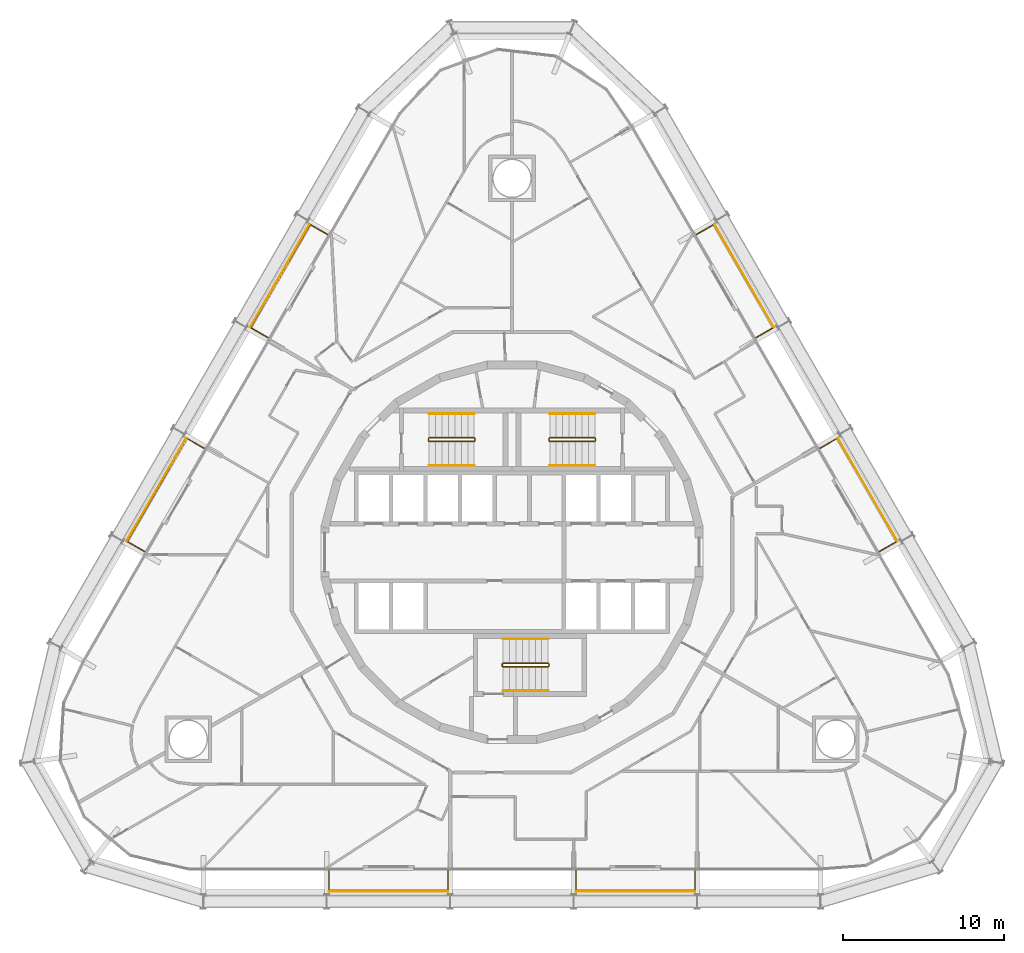
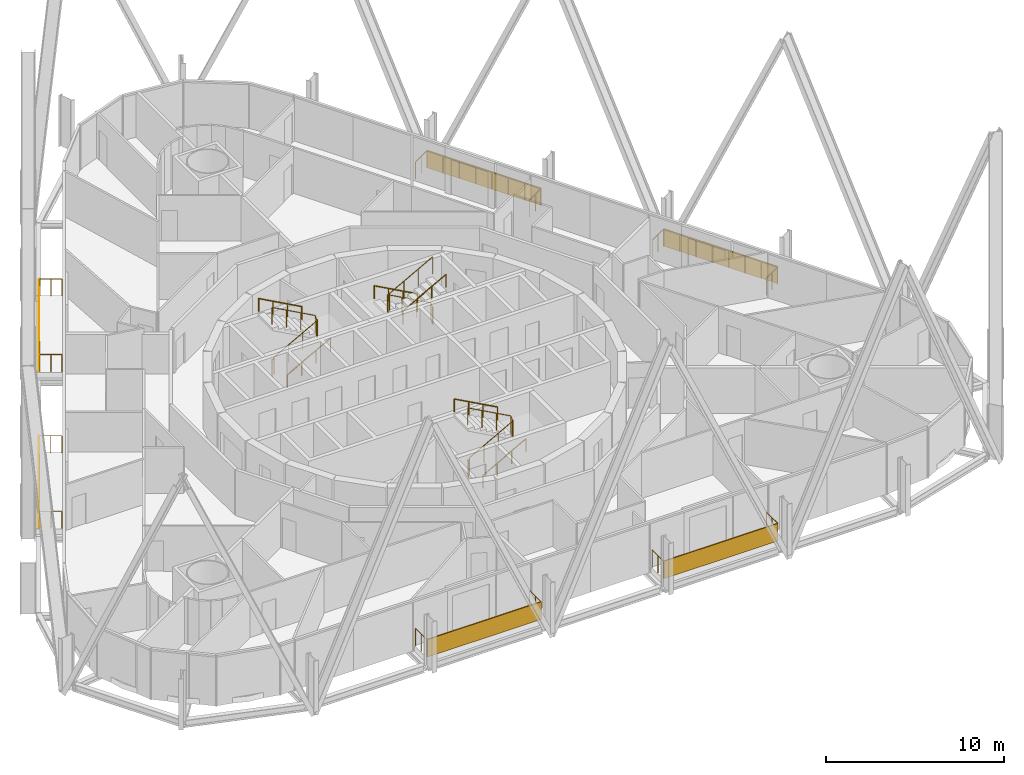
# One storey, part 22 of 22: 15 railings, 6 shading devices.
"""IFC4 building model written with IfcOpenShell, lengths in metres."""

from ifc_helpers import new_model, si_unit, direction, frame, origin, origin_2d, place, context, subcontext, project, spatial, rectangle, circle, extrude, material, layer, layer_set, type_object, element, save


model = new_model("IFC4")

# Units and contexts
model_context = context("Model", 3, precision=1e-05, world=origin(), true_north=direction((0.0, 1.0)))
body_context = subcontext(model_context, "Body", "Model", "MODEL_VIEW")
ifc_project = project(units=[si_unit("LENGTHUNIT", "METRE"), si_unit("AREAUNIT", "SQUARE_METRE"), si_unit("VOLUMEUNIT", "CUBIC_METRE"), si_unit("PLANEANGLEUNIT", "RADIAN"), si_unit("MASSUNIT", "GRAM", prefix="KILO")], contexts=[model_context])

# Site, building, storey
site_placement = place(None, origin())
site = spatial("IfcSite", under=ifc_project, at=site_placement, CompositionType="ELEMENT")
building_placement = place(site_placement, origin())
building = spatial("IfcBuilding", under=site, at=building_placement, Name="Spindle Arch Residences", CompositionType="ELEMENT")
storey_placement = place(building_placement, frame((0.0, 0.0, 52.39990234375)))
storey = spatial("IfcBuildingStorey", under=building, at=storey_placement, Name="L11", CompositionType="ELEMENT", Elevation=52.39990234375)

# Railings
ifc_material_1 = material(Name="Bronze anodised aluminium guard with glass infill", Category="aluminium")
railing_type_1 = type_object("IfcRailingType", Name="Balcony guard 1200", PredefinedType="GUARDRAIL", material=ifc_material_1)
railing_1_placement = place(storey_placement, frame((3.97509765625, -19.81982421875, 0.0)))
element("IfcRailing", 1, at=railing_1_placement, inside=storey, type_object=railing_type_1, Name="Guard L11 bay 1", PredefinedType="GUARDRAIL", context=body_context, shape_type="SweptSolid", body=[
    extrude(circle(Radius=0.02392578125, at=origin_2d()), frame((0.0, 0.0, 1.17578125), z_axis=(0.0, -1.0, 0.0), x_axis=(1.0, 0.0, 0.0)), (0.0, 0.0, 1.0), 1.25),
    extrude(circle(Radius=0.02392578125, at=origin_2d()), frame((0.0, -1.25, 1.17578125), z_axis=(1.0, 0.0, 0.0), x_axis=(0.0, 1.0, 0.0)), (0.0, 0.0, 1.0), 7.409912109375),
    extrude(circle(Radius=0.02392578125, at=origin_2d()), frame((7.409912109375, -1.25, 1.17578125), z_axis=(0.0, 1.0, 0.0), x_axis=(-1.0, 0.0, 0.0)), (0.0, 0.0, 1.0), 1.25),
    extrude(circle(Radius=0.02099609375, at=origin_2d()), origin(), (0.0, 0.0, 1.0), 1.15185546875),
    extrude(circle(Radius=0.02099609375, at=origin_2d()), frame((0.0, -0.625, 0.0)), (0.0, 0.0, 1.0), 1.15185546875),
    extrude(circle(Radius=0.02099609375, at=origin_2d()), frame((0.0, -1.25, 0.0)), (0.0, 0.0, 1.0), 1.15185546875),
    extrude(circle(Radius=0.02099609375, at=origin_2d()), frame((1.05859375, -1.25, 0.0)), (0.0, 0.0, 1.0), 1.15185546875),
    extrude(circle(Radius=0.02099609375, at=origin_2d()), frame((2.1171875, -1.25, 0.0)), (0.0, 0.0, 1.0), 1.15185546875),
    extrude(circle(Radius=0.02099609375, at=origin_2d()), frame((3.17578125, -1.25, 0.0)), (0.0, 0.0, 1.0), 1.15185546875),
    extrude(circle(Radius=0.02099609375, at=origin_2d()), frame((4.234130859375, -1.25, 0.0)), (0.0, 0.0, 1.0), 1.15185546875),
    extrude(circle(Radius=0.02099609375, at=origin_2d()), frame((5.292724609375, -1.25, 0.0)), (0.0, 0.0, 1.0), 1.15185546875),
    extrude(circle(Radius=0.02099609375, at=origin_2d()), frame((6.351318359375, -1.25, 0.0)), (0.0, 0.0, 1.0), 1.15185546875),
    extrude(circle(Radius=0.02099609375, at=origin_2d()), frame((7.409912109375, -1.25, 0.0)), (0.0, 0.0, 1.0), 1.15185546875),
    extrude(circle(Radius=0.02099609375, at=origin_2d()), frame((7.409912109375, -0.625, 0.0)), (0.0, 0.0, 1.0), 1.15185546875),
    extrude(circle(Radius=0.02099609375, at=origin_2d()), frame((7.409912109375, 0.0, 0.0)), (0.0, 0.0, 1.0), 1.15185546875),
])
railing_2_placement = place(storey_placement, frame((22.857177734375, 0.050048828125, 0.0)))
element("IfcRailing", 2, at=railing_2_placement, inside=storey, type_object=railing_type_1, Name="Guard L11 bay 7", PredefinedType="GUARDRAIL", context=body_context, shape_type="SweptSolid", body=[
    extrude(circle(Radius=0.02392578125, at=origin_2d()), frame((0.0, 0.0, 1.17578125), z_axis=(0.866022959057, 0.500004234368, 0.0), x_axis=(-0.500004234368, 0.866022959057, 0.0)), (0.0, 0.0, 1.0), 1.25),
    extrude(circle(Radius=0.02392578125, at=origin_2d()), frame((1.08251953125, 0.625, 1.17578125), z_axis=(-0.499994337101, 0.866028673236, 0.0), x_axis=(-0.866028673236, -0.499994337101, 0.0)), (0.0, 0.0, 1.0), 7.41015625),
    extrude(circle(Radius=0.02392578125, at=origin_2d()), frame((-2.62255859375, 7.04248046875, 1.17578125), z_axis=(-0.866022959057, -0.500004234368, 0.0), x_axis=(0.500004234368, -0.866022959057, 0.0)), (0.0, 0.0, 1.0), 1.25),
    extrude(circle(Radius=0.02099609375, at=origin_2d()), origin(), (0.0, 0.0, 1.0), 1.15185546875),
    extrude(circle(Radius=0.02099609375, at=origin_2d()), frame((0.541259765625, 0.3125, 0.0)), (0.0, 0.0, 1.0), 1.15185546875),
    extrude(circle(Radius=0.02099609375, at=origin_2d()), frame((1.08251953125, 0.625, 0.0)), (0.0, 0.0, 1.0), 1.15185546875),
    extrude(circle(Radius=0.02099609375, at=origin_2d()), frame((0.55322265625, 1.541748046875, 0.0)), (0.0, 0.0, 1.0), 1.15185546875),
    extrude(circle(Radius=0.02099609375, at=origin_2d()), frame((0.02392578125, 2.45849609375, 0.0)), (0.0, 0.0, 1.0), 1.15185546875),
    extrude(circle(Radius=0.02099609375, at=origin_2d()), frame((-0.50537109375, 3.375244140625, 0.0)), (0.0, 0.0, 1.0), 1.15185546875),
    extrude(circle(Radius=0.02099609375, at=origin_2d()), frame((-1.03466796875, 4.292236328125, 0.0)), (0.0, 0.0, 1.0), 1.15185546875),
    extrude(circle(Radius=0.02099609375, at=origin_2d()), frame((-1.56396484375, 5.208984375, 0.0)), (0.0, 0.0, 1.0), 1.15185546875),
    extrude(circle(Radius=0.02099609375, at=origin_2d()), frame((-2.09326171875, 6.125732421875, 0.0)), (0.0, 0.0, 1.0), 1.15185546875),
    extrude(circle(Radius=0.02099609375, at=origin_2d()), frame((-2.62255859375, 7.04248046875, 0.0)), (0.0, 0.0, 1.0), 1.15185546875),
    extrude(circle(Radius=0.02099609375, at=origin_2d()), frame((-3.163818359375, 6.72998046875, 0.0)), (0.0, 0.0, 1.0), 1.15185546875),
    extrude(circle(Radius=0.02099609375, at=origin_2d()), frame((-3.705078125, 6.41748046875, 0.0)), (0.0, 0.0, 1.0), 1.15185546875),
])
railing_3_placement = place(storey_placement, frame((15.177001953125, 13.3525390625, 0.0)))
element("IfcRailing", 3, at=railing_3_placement, inside=storey, type_object=railing_type_1, Name="Guard L11 bay 9", PredefinedType="GUARDRAIL", context=body_context, shape_type="SweptSolid", body=[
    extrude(circle(Radius=0.02392578125, at=origin_2d()), frame((0.0, 0.0, 1.17578125), z_axis=(0.866022959057, 0.500004234368, 0.0), x_axis=(-0.500004234368, 0.866022959057, 0.0)), (0.0, 0.0, 1.0), 1.25),
    extrude(circle(Radius=0.02392578125, at=origin_2d()), frame((1.08251953125, 0.625, 1.17578125), z_axis=(-0.500008603535, 0.866020436474, 0.0), x_axis=(-0.866020436474, -0.500008603535, 0.0)), (0.0, 0.0, 1.0), 7.409912109375),
    extrude(circle(Radius=0.02392578125, at=origin_2d()), frame((-2.62255859375, 7.042236328125, 1.17578125), z_axis=(-0.866022959057, -0.500004234368, 0.0), x_axis=(0.500004234368, -0.866022959057, 0.0)), (0.0, 0.0, 1.0), 1.25),
    extrude(circle(Radius=0.02099609375, at=origin_2d()), origin(), (0.0, 0.0, 1.0), 1.15185546875),
    extrude(circle(Radius=0.02099609375, at=origin_2d()), frame((0.541259765625, 0.3125, 0.0)), (0.0, 0.0, 1.0), 1.15185546875),
    extrude(circle(Radius=0.02099609375, at=origin_2d()), frame((1.08251953125, 0.625, 0.0)), (0.0, 0.0, 1.0), 1.15185546875),
    extrude(circle(Radius=0.02099609375, at=origin_2d()), frame((0.55322265625, 1.541748046875, 0.0)), (0.0, 0.0, 1.0), 1.15185546875),
    extrude(circle(Radius=0.02099609375, at=origin_2d()), frame((0.02392578125, 2.45849609375, 0.0)), (0.0, 0.0, 1.0), 1.15185546875),
    extrude(circle(Radius=0.02099609375, at=origin_2d()), frame((-0.50537109375, 3.375244140625, 0.0)), (0.0, 0.0, 1.0), 1.15185546875),
    extrude(circle(Radius=0.02099609375, at=origin_2d()), frame((-1.03466796875, 4.2919921875, 0.0)), (0.0, 0.0, 1.0), 1.15185546875),
    extrude(circle(Radius=0.02099609375, at=origin_2d()), frame((-1.56396484375, 5.208740234375, 0.0)), (0.0, 0.0, 1.0), 1.15185546875),
    extrude(circle(Radius=0.02099609375, at=origin_2d()), frame((-2.09326171875, 6.12548828125, 0.0)), (0.0, 0.0, 1.0), 1.15185546875),
    extrude(circle(Radius=0.02099609375, at=origin_2d()), frame((-2.62255859375, 7.042236328125, 0.0)), (0.0, 0.0, 1.0), 1.15185546875),
    extrude(circle(Radius=0.02099609375, at=origin_2d()), frame((-3.163818359375, 6.729736328125, 0.0)), (0.0, 0.0, 1.0), 1.15185546875),
    extrude(circle(Radius=0.02099609375, at=origin_2d()), frame((-3.705078125, 6.417236328125, 0.0)), (0.0, 0.0, 1.0), 1.15185546875),
])
railing_4_placement = place(storey_placement, frame((-11.471923828125, 19.769775390625, 0.0)))
element("IfcRailing", 4, at=railing_4_placement, inside=storey, type_object=railing_type_1, Name="Guard L11 bay 15", PredefinedType="GUARDRAIL", context=body_context, shape_type="SweptSolid", body=[
    extrude(circle(Radius=0.02392578125, at=origin_2d()), frame((0.0, 0.0, 1.17578125), z_axis=(-0.866022959057, 0.500004234368, 0.0), x_axis=(-0.500004234368, -0.866022959057, 0.0)), (0.0, 0.0, 1.0), 1.25),
    extrude(circle(Radius=0.02392578125, at=origin_2d()), frame((-1.08251953125, 0.625, 1.17578125), z_axis=(-0.500008603535, -0.866020436474, 0.0), x_axis=(0.866020436474, -0.500008603535, 0.0)), (0.0, 0.0, 1.0), 7.409912109375),
    extrude(circle(Radius=0.02392578125, at=origin_2d()), frame((-4.78759765625, -5.792236328125, 1.17578125), z_axis=(0.866022959057, -0.500004234368, 0.0), x_axis=(0.500004234368, 0.866022959057, 0.0)), (0.0, 0.0, 1.0), 1.25),
    extrude(circle(Radius=0.02099609375, at=origin_2d()), origin(), (0.0, 0.0, 1.0), 1.15185546875),
    extrude(circle(Radius=0.02099609375, at=origin_2d()), frame((-0.541259765625, 0.3125, 0.0)), (0.0, 0.0, 1.0), 1.15185546875),
    extrude(circle(Radius=0.02099609375, at=origin_2d()), frame((-1.08251953125, 0.625, 0.0)), (0.0, 0.0, 1.0), 1.15185546875),
    extrude(circle(Radius=0.02099609375, at=origin_2d()), frame((-1.61181640625, -0.291748046875, 0.0)), (0.0, 0.0, 1.0), 1.15185546875),
    extrude(circle(Radius=0.02099609375, at=origin_2d()), frame((-2.14111328125, -1.20849609375, 0.0)), (0.0, 0.0, 1.0), 1.15185546875),
    extrude(circle(Radius=0.02099609375, at=origin_2d()), frame((-2.67041015625, -2.125244140625, 0.0)), (0.0, 0.0, 1.0), 1.15185546875),
    extrude(circle(Radius=0.02099609375, at=origin_2d()), frame((-3.19970703125, -3.0419921875, 0.0)), (0.0, 0.0, 1.0), 1.15185546875),
    extrude(circle(Radius=0.02099609375, at=origin_2d()), frame((-3.72900390625, -3.958740234375, 0.0)), (0.0, 0.0, 1.0), 1.15185546875),
    extrude(circle(Radius=0.02099609375, at=origin_2d()), frame((-4.25830078125, -4.87548828125, 0.0)), (0.0, 0.0, 1.0), 1.15185546875),
    extrude(circle(Radius=0.02099609375, at=origin_2d()), frame((-4.78759765625, -5.792236328125, 0.0)), (0.0, 0.0, 1.0), 1.15185546875),
    extrude(circle(Radius=0.02099609375, at=origin_2d()), frame((-4.246337890625, -6.104736328125, 0.0)), (0.0, 0.0, 1.0), 1.15185546875),
    extrude(circle(Radius=0.02099609375, at=origin_2d()), frame((-3.705078125, -6.417236328125, 0.0)), (0.0, 0.0, 1.0), 1.15185546875),
])
railing_5_placement = place(storey_placement, frame((-19.152099609375, 6.467529296875, 0.0)))
element("IfcRailing", 5, at=railing_5_placement, inside=storey, type_object=railing_type_1, Name="Guard L11 bay 17", PredefinedType="GUARDRAIL", context=body_context, shape_type="SweptSolid", body=[
    extrude(circle(Radius=0.02392578125, at=origin_2d()), frame((0.0, 0.0, 1.17578125), z_axis=(-0.866022959057, 0.500004234368, 0.0), x_axis=(-0.500004234368, -0.866022959057, 0.0)), (0.0, 0.0, 1.0), 1.25),
    extrude(circle(Radius=0.02392578125, at=origin_2d()), frame((-1.08251953125, 0.625, 1.17578125), z_axis=(-0.499994337101, -0.866028673236, 0.0), x_axis=(0.866028673236, -0.499994337101, 0.0)), (0.0, 0.0, 1.0), 7.41015625),
    extrude(circle(Radius=0.02392578125, at=origin_2d()), frame((-4.78759765625, -5.79248046875, 1.17578125), z_axis=(0.866022959057, -0.500004234368, 0.0), x_axis=(0.500004234368, 0.866022959057, 0.0)), (0.0, 0.0, 1.0), 1.25),
    extrude(circle(Radius=0.02099609375, at=origin_2d()), origin(), (0.0, 0.0, 1.0), 1.15185546875),
    extrude(circle(Radius=0.02099609375, at=origin_2d()), frame((-0.541259765625, 0.3125, 0.0)), (0.0, 0.0, 1.0), 1.15185546875),
    extrude(circle(Radius=0.02099609375, at=origin_2d()), frame((-1.08251953125, 0.625, 0.0)), (0.0, 0.0, 1.0), 1.15185546875),
    extrude(circle(Radius=0.02099609375, at=origin_2d()), frame((-1.61181640625, -0.291748046875, 0.0)), (0.0, 0.0, 1.0), 1.15185546875),
    extrude(circle(Radius=0.02099609375, at=origin_2d()), frame((-2.14111328125, -1.20849609375, 0.0)), (0.0, 0.0, 1.0), 1.15185546875),
    extrude(circle(Radius=0.02099609375, at=origin_2d()), frame((-2.67041015625, -2.125244140625, 0.0)), (0.0, 0.0, 1.0), 1.15185546875),
    extrude(circle(Radius=0.02099609375, at=origin_2d()), frame((-3.19970703125, -3.042236328125, 0.0)), (0.0, 0.0, 1.0), 1.15185546875),
    extrude(circle(Radius=0.02099609375, at=origin_2d()), frame((-3.72900390625, -3.958984375, 0.0)), (0.0, 0.0, 1.0), 1.15185546875),
    extrude(circle(Radius=0.02099609375, at=origin_2d()), frame((-4.25830078125, -4.875732421875, 0.0)), (0.0, 0.0, 1.0), 1.15185546875),
    extrude(circle(Radius=0.02099609375, at=origin_2d()), frame((-4.78759765625, -5.79248046875, 0.0)), (0.0, 0.0, 1.0), 1.15185546875),
    extrude(circle(Radius=0.02099609375, at=origin_2d()), frame((-4.246337890625, -6.10498046875, 0.0)), (0.0, 0.0, 1.0), 1.15185546875),
    extrude(circle(Radius=0.02099609375, at=origin_2d()), frame((-3.705078125, -6.41748046875, 0.0)), (0.0, 0.0, 1.0), 1.15185546875),
])
railing_6_placement = place(storey_placement, frame((-11.385009765625, -19.81982421875, 0.0)))
element("IfcRailing", 6, at=railing_6_placement, inside=storey, type_object=railing_type_1, Name="Guard L11 bay 23", PredefinedType="GUARDRAIL", context=body_context, shape_type="SweptSolid", body=[
    extrude(circle(Radius=0.02392578125, at=origin_2d()), frame((0.0, 0.0, 1.17578125), z_axis=(0.0, -1.0, 0.0), x_axis=(1.0, 0.0, 0.0)), (0.0, 0.0, 1.0), 1.25),
    extrude(circle(Radius=0.02392578125, at=origin_2d()), frame((0.0, -1.25, 1.17578125), z_axis=(1.0, 0.0, 0.0), x_axis=(0.0, 1.0, 0.0)), (0.0, 0.0, 1.0), 7.409912109375),
    extrude(circle(Radius=0.02392578125, at=origin_2d()), frame((7.409912109375, -1.25, 1.17578125), z_axis=(0.0, 1.0, 0.0), x_axis=(-1.0, 0.0, 0.0)), (0.0, 0.0, 1.0), 1.25),
    extrude(circle(Radius=0.02099609375, at=origin_2d()), origin(), (0.0, 0.0, 1.0), 1.15185546875),
    extrude(circle(Radius=0.02099609375, at=origin_2d()), frame((0.0, -0.625, 0.0)), (0.0, 0.0, 1.0), 1.15185546875),
    extrude(circle(Radius=0.02099609375, at=origin_2d()), frame((0.0, -1.25, 0.0)), (0.0, 0.0, 1.0), 1.15185546875),
    extrude(circle(Radius=0.02099609375, at=origin_2d()), frame((1.05859375, -1.25, 0.0)), (0.0, 0.0, 1.0), 1.15185546875),
    extrude(circle(Radius=0.02099609375, at=origin_2d()), frame((2.1171875, -1.25, 0.0)), (0.0, 0.0, 1.0), 1.15185546875),
    extrude(circle(Radius=0.02099609375, at=origin_2d()), frame((3.17578125, -1.25, 0.0)), (0.0, 0.0, 1.0), 1.15185546875),
    extrude(circle(Radius=0.02099609375, at=origin_2d()), frame((4.234130859375, -1.25, 0.0)), (0.0, 0.0, 1.0), 1.15185546875),
    extrude(circle(Radius=0.02099609375, at=origin_2d()), frame((5.292724609375, -1.25, 0.0)), (0.0, 0.0, 1.0), 1.15185546875),
    extrude(circle(Radius=0.02099609375, at=origin_2d()), frame((6.351318359375, -1.25, 0.0)), (0.0, 0.0, 1.0), 1.15185546875),
    extrude(circle(Radius=0.02099609375, at=origin_2d()), frame((7.409912109375, -1.25, 0.0)), (0.0, 0.0, 1.0), 1.15185546875),
    extrude(circle(Radius=0.02099609375, at=origin_2d()), frame((7.409912109375, -0.625, 0.0)), (0.0, 0.0, 1.0), 1.15185546875),
    extrude(circle(Radius=0.02099609375, at=origin_2d()), frame((7.409912109375, 0.0, 0.0)), (0.0, 0.0, 1.0), 1.15185546875),
])

# Shading devices
ifc_material_2 = material(Name="Bronze perforated cobogo screen")
ifc_layer = layer(ifc_material_2, 0.0390625)
ifc_layer_set = layer_set([ifc_layer], Name="Cobogo screen 1200")
shading_device_type = type_object("IfcShadingDeviceType", Name="Cobogo screen 1200", PredefinedType="USERDEFINED", material=ifc_layer_set)
for number, where, z_axis, x_axis, name in (
    (7, (7.68017578125, -21.1103515625, 0.0), (0.0, 0.0, 1.0), (1.0, 0.0, 0.0), "Cobogo screen L11 bay 1"),
    (8, (22.1220703125, 3.904052734375, 0.0), (0.0, 0.0, 1.0), (-0.5, 0.866025403784, 0.0), "Cobogo screen L11 bay 7"),
    (9, (14.442138671875, 17.206298828125, 0.0), (0.0, 0.0, 1.0), (-0.5, 0.866025403784, 0.0), "Cobogo screen L11 bay 9"),
    (10, (-14.442138671875, 17.206298828125, 0.0), (0.0, 0.0, 1.0), (-0.5, -0.866025403784, 0.0), "Cobogo screen L11 bay 15"),
    (11, (-22.1220703125, 3.904052734375, 0.0), (0.0, 0.0, 1.0), (-0.5, -0.866025403784, 0.0), "Cobogo screen L11 bay 17"),
    (12, (-7.68017578125, -21.1103515625, 0.0), (0.0, 0.0, 1.0), (1.0, 0.0, 0.0), "Cobogo screen L11 bay 23"),
):
    element("IfcShadingDevice", number, at=place(storey_placement, frame(where, z_axis=z_axis, x_axis=x_axis)), inside=storey, type_object=shading_device_type, Name=name, ObjectType="SCREEN", PredefinedType="USERDEFINED", context=body_context, shape_type="SweptSolid", body=[
        extrude(rectangle(XDim=7.41015625, YDim=0.0390625, at=origin_2d()), origin(), (0.0, 0.0, 1.0), 1.199951171875),
    ])

# Railings
ifc_material_3 = material(Name="Steel, painted", Category="steel")
railing_type_2 = type_object("IfcRailingType", Name="Stair guard 1100", PredefinedType="GUARDRAIL", material=ifc_material_3)
railing_7_placement = place(storey_placement, frame((5.14990234375, 6.89990234375, 3.5)))
element("IfcRailing", 13, at=railing_7_placement, inside=storey, type_object=railing_type_2, Name="L11 ST1 stair guard 1", PredefinedType="GUARDRAIL", context=body_context, shape_type="SweptSolid", body=[
    extrude(circle(Radius=0.02392578125, at=origin_2d()), frame((0.0, 0.0, 1.17578125), z_axis=(-0.877357048833, 0.0, -0.479838106931), x_axis=(0.0, -1.0, 0.0)), (0.0, 0.0, 1.0), 3.191162109375),
    extrude(circle(Radius=0.02392578125, at=origin_2d()), frame((-2.7998046875, 0.0, -0.35546875), z_axis=(-0.217683172539, 0.217683172539, -0.951434744366), x_axis=(-0.707106781187, -0.707106781187, 0.0)), (0.0, 0.0, 1.0), 0.22998046875),
    extrude(circle(Radius=0.02392578125, at=origin_2d()), frame((-2.849853515625, 0.050048828125, -0.57421875), z_axis=(0.0, 1.0, 0.0), x_axis=(-1.0, 0.0, 0.0)), (0.0, 0.0, 1.0), 0.1201171875),
    extrude(circle(Radius=0.02392578125, at=origin_2d()), frame((-2.849853515625, 0.170166015625, -0.57421875), z_axis=(0.707106781187, 0.707106781187, 0.0), x_axis=(-0.707106781187, 0.707106781187, 0.0)), (0.0, 0.0, 1.0), 0.07080078125),
    extrude(circle(Radius=0.02392578125, at=origin_2d()), frame((-2.7998046875, 0.22021484375, -0.57421875), z_axis=(0.877357048833, 0.0, -0.479838106931), x_axis=(0.0, 1.0, 0.0)), (0.0, 0.0, 1.0), 3.191162109375),
    extrude(circle(Radius=0.02392578125, at=origin_2d()), frame((0.0, 0.22021484375, -2.10546875), z_axis=(0.217683172539, -0.217683172539, -0.951434744366), x_axis=(0.707106781187, 0.707106781187, 0.0)), (0.0, 0.0, 1.0), 0.22998046875),
    extrude(circle(Radius=0.02392578125, at=origin_2d()), frame((0.050048828125, 0.170166015625, -2.32421875), z_axis=(0.0, -1.0, 0.0), x_axis=(1.0, 0.0, 0.0)), (0.0, 0.0, 1.0), 0.1201171875),
    extrude(circle(Radius=0.02099609375, at=origin_2d()), origin(), (0.0, 0.0, 1.0), 1.15185546875),
    extrude(circle(Radius=0.02099609375, at=origin_2d()), frame((-0.933349609375, 0.0, -0.510498046875)), (0.0, 0.0, 1.0), 1.15185546875),
    extrude(circle(Radius=0.02099609375, at=origin_2d()), frame((-1.866455078125, 0.0, -1.020751953125)), (0.0, 0.0, 1.0), 1.15185546875),
    extrude(circle(Radius=0.02099609375, at=origin_2d()), frame((-2.7998046875, 0.0, -1.53125)), (0.0, 0.0, 1.0), 1.15185546875),
    extrude(circle(Radius=0.02099609375, at=origin_2d()), frame((-2.849853515625, 0.050048828125, -1.75)), (0.0, 0.0, 1.0), 1.15185546875),
    extrude(circle(Radius=0.02099609375, at=origin_2d()), frame((-2.849853515625, 0.170166015625, -1.75)), (0.0, 0.0, 1.0), 1.15185546875),
    extrude(circle(Radius=0.02099609375, at=origin_2d()), frame((-2.7998046875, 0.22021484375, -1.75)), (0.0, 0.0, 1.0), 1.15185546875),
    extrude(circle(Radius=0.02099609375, at=origin_2d()), frame((-1.866455078125, 0.22021484375, -2.260498046875)), (0.0, 0.0, 1.0), 1.15185546875),
    extrude(circle(Radius=0.02099609375, at=origin_2d()), frame((-0.933349609375, 0.22021484375, -2.770751953125)), (0.0, 0.0, 1.0), 1.15185546875),
    extrude(circle(Radius=0.02099609375, at=origin_2d()), frame((0.0, 0.22021484375, -3.28125)), (0.0, 0.0, 1.0), 1.15185546875),
    extrude(circle(Radius=0.02099609375, at=origin_2d()), frame((0.050048828125, 0.170166015625, -3.5)), (0.0, 0.0, 1.0), 1.15185546875),
    extrude(circle(Radius=0.02099609375, at=origin_2d()), frame((0.050048828125, 0.050048828125, -3.5)), (0.0, 0.0, 1.0), 1.15185546875),
])
railing_8_placement = place(storey_placement, frame((-5.14990234375, 7.1201171875, 3.5)))
element("IfcRailing", 14, at=railing_8_placement, inside=storey, type_object=railing_type_2, Name="L11 ST2 stair guard 1", PredefinedType="GUARDRAIL", context=body_context, shape_type="SweptSolid", body=[
    extrude(circle(Radius=0.02392578125, at=origin_2d()), frame((0.0, 0.0, 1.17578125), z_axis=(0.877357048833, 0.0, -0.479838106931), x_axis=(0.0, 1.0, 0.0)), (0.0, 0.0, 1.0), 3.191162109375),
    extrude(circle(Radius=0.02392578125, at=origin_2d()), frame((2.7998046875, 0.0, -0.35546875), z_axis=(0.217683172539, -0.217683172539, -0.951434744366), x_axis=(0.707106781187, 0.707106781187, 0.0)), (0.0, 0.0, 1.0), 0.22998046875),
    extrude(circle(Radius=0.02392578125, at=origin_2d()), frame((2.849853515625, -0.050048828125, -0.57421875), z_axis=(0.0, -1.0, 0.0), x_axis=(1.0, 0.0, 0.0)), (0.0, 0.0, 1.0), 0.1201171875),
    extrude(circle(Radius=0.02392578125, at=origin_2d()), frame((2.849853515625, -0.170166015625, -0.57421875), z_axis=(-0.707106781187, -0.707106781187, 0.0), x_axis=(0.707106781187, -0.707106781187, 0.0)), (0.0, 0.0, 1.0), 0.07080078125),
    extrude(circle(Radius=0.02392578125, at=origin_2d()), frame((2.7998046875, -0.22021484375, -0.57421875), z_axis=(-0.877357048833, 0.0, -0.479838106931), x_axis=(0.0, -1.0, 0.0)), (0.0, 0.0, 1.0), 3.191162109375),
    extrude(circle(Radius=0.02392578125, at=origin_2d()), frame((0.0, -0.22021484375, -2.10546875), z_axis=(-0.217683172539, 0.217683172539, -0.951434744366), x_axis=(-0.707106781187, -0.707106781187, 0.0)), (0.0, 0.0, 1.0), 0.22998046875),
    extrude(circle(Radius=0.02392578125, at=origin_2d()), frame((-0.050048828125, -0.170166015625, -2.32421875), z_axis=(0.0, 1.0, 0.0), x_axis=(-1.0, 0.0, 0.0)), (0.0, 0.0, 1.0), 0.1201171875),
    extrude(circle(Radius=0.02099609375, at=origin_2d()), origin(), (0.0, 0.0, 1.0), 1.15185546875),
    extrude(circle(Radius=0.02099609375, at=origin_2d()), frame((0.933349609375, 0.0, -0.510498046875)), (0.0, 0.0, 1.0), 1.15185546875),
    extrude(circle(Radius=0.02099609375, at=origin_2d()), frame((1.866455078125, 0.0, -1.020751953125)), (0.0, 0.0, 1.0), 1.15185546875),
    extrude(circle(Radius=0.02099609375, at=origin_2d()), frame((2.7998046875, 0.0, -1.53125)), (0.0, 0.0, 1.0), 1.15185546875),
    extrude(circle(Radius=0.02099609375, at=origin_2d()), frame((2.849853515625, -0.050048828125, -1.75)), (0.0, 0.0, 1.0), 1.15185546875),
    extrude(circle(Radius=0.02099609375, at=origin_2d()), frame((2.849853515625, -0.170166015625, -1.75)), (0.0, 0.0, 1.0), 1.15185546875),
    extrude(circle(Radius=0.02099609375, at=origin_2d()), frame((2.7998046875, -0.22021484375, -1.75)), (0.0, 0.0, 1.0), 1.15185546875),
    extrude(circle(Radius=0.02099609375, at=origin_2d()), frame((1.866455078125, -0.22021484375, -2.260498046875)), (0.0, 0.0, 1.0), 1.15185546875),
    extrude(circle(Radius=0.02099609375, at=origin_2d()), frame((0.933349609375, -0.22021484375, -2.770751953125)), (0.0, 0.0, 1.0), 1.15185546875),
    extrude(circle(Radius=0.02099609375, at=origin_2d()), frame((0.0, -0.22021484375, -3.28125)), (0.0, 0.0, 1.0), 1.15185546875),
    extrude(circle(Radius=0.02099609375, at=origin_2d()), frame((-0.050048828125, -0.170166015625, -3.5)), (0.0, 0.0, 1.0), 1.15185546875),
    extrude(circle(Radius=0.02099609375, at=origin_2d()), frame((-0.050048828125, -0.050048828125, -3.5)), (0.0, 0.0, 1.0), 1.15185546875),
])
railing_9_placement = place(storey_placement, frame((-0.550048828125, -6.89990234375, 3.5)))
element("IfcRailing", 15, at=railing_9_placement, inside=storey, type_object=railing_type_2, Name="L11 ST3 stair guard 1", PredefinedType="GUARDRAIL", context=body_context, shape_type="SweptSolid", body=[
    extrude(circle(Radius=0.02392578125, at=origin_2d()), frame((0.0, 0.0, 1.17578125), z_axis=(0.877374661878, 0.0, -0.479805901063), x_axis=(0.0, 1.0, 0.0)), (0.0, 0.0, 1.0), 3.19140625),
    extrude(circle(Radius=0.02392578125, at=origin_2d()), frame((2.800048828125, 0.0, -0.35546875), z_axis=(0.217683172539, -0.217683172539, -0.951434744366), x_axis=(0.707106781187, 0.707106781187, 0.0)), (0.0, 0.0, 1.0), 0.22998046875),
    extrude(circle(Radius=0.02392578125, at=origin_2d()), frame((2.85009765625, -0.050048828125, -0.57421875), z_axis=(0.0, -1.0, 0.0), x_axis=(1.0, 0.0, 0.0)), (0.0, 0.0, 1.0), 0.1201171875),
    extrude(circle(Radius=0.02392578125, at=origin_2d()), frame((2.85009765625, -0.170166015625, -0.57421875), z_axis=(-0.707106781187, -0.707106781187, 0.0), x_axis=(0.707106781187, -0.707106781187, 0.0)), (0.0, 0.0, 1.0), 0.07080078125),
    extrude(circle(Radius=0.02392578125, at=origin_2d()), frame((2.800048828125, -0.22021484375, -0.57421875), z_axis=(-0.877374661878, 0.0, -0.479805901063), x_axis=(0.0, -1.0, 0.0)), (0.0, 0.0, 1.0), 3.19140625),
    extrude(circle(Radius=0.02392578125, at=origin_2d()), frame((0.0, -0.22021484375, -2.10546875), z_axis=(-0.217683172539, 0.217683172539, -0.951434744366), x_axis=(-0.707106781187, -0.707106781187, 0.0)), (0.0, 0.0, 1.0), 0.22998046875),
    extrude(circle(Radius=0.02392578125, at=origin_2d()), frame((-0.050048828125, -0.170166015625, -2.32421875), z_axis=(0.0, 1.0, 0.0), x_axis=(-1.0, 0.0, 0.0)), (0.0, 0.0, 1.0), 0.1201171875),
    extrude(circle(Radius=0.02099609375, at=origin_2d()), origin(), (0.0, 0.0, 1.0), 1.15185546875),
    extrude(circle(Radius=0.02099609375, at=origin_2d()), frame((0.933349609375, 0.0, -0.510498046875)), (0.0, 0.0, 1.0), 1.15185546875),
    extrude(circle(Radius=0.02099609375, at=origin_2d()), frame((1.86669921875, 0.0, -1.020751953125)), (0.0, 0.0, 1.0), 1.15185546875),
    extrude(circle(Radius=0.02099609375, at=origin_2d()), frame((2.800048828125, 0.0, -1.53125)), (0.0, 0.0, 1.0), 1.15185546875),
    extrude(circle(Radius=0.02099609375, at=origin_2d()), frame((2.85009765625, -0.050048828125, -1.75)), (0.0, 0.0, 1.0), 1.15185546875),
    extrude(circle(Radius=0.02099609375, at=origin_2d()), frame((2.85009765625, -0.170166015625, -1.75)), (0.0, 0.0, 1.0), 1.15185546875),
    extrude(circle(Radius=0.02099609375, at=origin_2d()), frame((2.800048828125, -0.22021484375, -1.75)), (0.0, 0.0, 1.0), 1.15185546875),
    extrude(circle(Radius=0.02099609375, at=origin_2d()), frame((1.86669921875, -0.22021484375, -2.260498046875)), (0.0, 0.0, 1.0), 1.15185546875),
    extrude(circle(Radius=0.02099609375, at=origin_2d()), frame((0.933349609375, -0.22021484375, -2.770751953125)), (0.0, 0.0, 1.0), 1.15185546875),
    extrude(circle(Radius=0.02099609375, at=origin_2d()), frame((0.0, -0.22021484375, -3.28125)), (0.0, 0.0, 1.0), 1.15185546875),
    extrude(circle(Radius=0.02099609375, at=origin_2d()), frame((-0.050048828125, -0.170166015625, -3.5)), (0.0, 0.0, 1.0), 1.15185546875),
    extrude(circle(Radius=0.02099609375, at=origin_2d()), frame((-0.050048828125, -0.050048828125, -3.5)), (0.0, 0.0, 1.0), 1.15185546875),
])
ifc_material_4 = material(Name="Steel, painted", Category="steel")
railing_type_3 = type_object("IfcRailingType", Name="Stair handrail 900", PredefinedType="HANDRAIL", material=ifc_material_4)
railing_10_placement = place(storey_placement, frame((5.14990234375, 8.6201171875, 0.21875)))
element("IfcRailing", 16, at=railing_10_placement, inside=storey, type_object=railing_type_3, Name="L11 ST1 stair handrail 1", PredefinedType="HANDRAIL", context=body_context, shape_type="SweptSolid", body=[
    extrude(circle(Radius=0.02392578125, at=origin_2d()), frame((0.0, 0.0, 0.8759765625), z_axis=(-0.877357048833, 0.0, 0.479838106931), x_axis=(0.0, -1.0, 0.0)), (0.0, 0.0, 1.0), 3.191162109375),
    extrude(circle(Radius=0.02099609375, at=origin_2d()), origin(), (0.0, 0.0, 1.0), 0.851806640625),
    extrude(circle(Radius=0.02099609375, at=origin_2d()), frame((-0.933349609375, 0.0, 0.510498046875)), (0.0, 0.0, 1.0), 0.851806640625),
    extrude(circle(Radius=0.02099609375, at=origin_2d()), frame((-1.866455078125, 0.0, 1.020751953125)), (0.0, 0.0, 1.0), 0.851806640625),
    extrude(circle(Radius=0.02099609375, at=origin_2d()), frame((-2.7998046875, 0.0, 1.53125)), (0.0, 0.0, 1.0), 0.851806640625),
])
for number, where, name in (
    (17, (2.35009765625, 5.39990234375, 1.96875), "L11 ST1 stair handrail 2"),
    (18, (-5.14990234375, 5.39990234375, 0.21875), "L11 ST2 stair handrail 1"),
):
    element("IfcRailing", number, at=place(storey_placement, frame(where)), inside=storey, type_object=railing_type_3, Name=name, PredefinedType="HANDRAIL", context=body_context, shape_type="SweptSolid", body=[
        extrude(circle(Radius=0.02392578125, at=origin_2d()), frame((0.0, 0.0, 0.8759765625), z_axis=(0.877357048833, 0.0, 0.479838106931), x_axis=(0.0, 1.0, 0.0)), (0.0, 0.0, 1.0), 3.191162109375),
        extrude(circle(Radius=0.02099609375, at=origin_2d()), origin(), (0.0, 0.0, 1.0), 0.851806640625),
        extrude(circle(Radius=0.02099609375, at=origin_2d()), frame((0.933349609375, 0.0, 0.510498046875)), (0.0, 0.0, 1.0), 0.851806640625),
        extrude(circle(Radius=0.02099609375, at=origin_2d()), frame((1.866455078125, 0.0, 1.020751953125)), (0.0, 0.0, 1.0), 0.851806640625),
        extrude(circle(Radius=0.02099609375, at=origin_2d()), frame((2.7998046875, 0.0, 1.53125)), (0.0, 0.0, 1.0), 0.851806640625),
    ])
railing_11_placement = place(storey_placement, frame((-2.35009765625, 8.6201171875, 1.96875)))
element("IfcRailing", 19, at=railing_11_placement, inside=storey, type_object=railing_type_3, Name="L11 ST2 stair handrail 2", PredefinedType="HANDRAIL", context=body_context, shape_type="SweptSolid", body=[
    extrude(circle(Radius=0.02392578125, at=origin_2d()), frame((0.0, 0.0, 0.8759765625), z_axis=(-0.877357048833, 0.0, 0.479838106931), x_axis=(0.0, -1.0, 0.0)), (0.0, 0.0, 1.0), 3.191162109375),
    extrude(circle(Radius=0.02099609375, at=origin_2d()), origin(), (0.0, 0.0, 1.0), 0.851806640625),
    extrude(circle(Radius=0.02099609375, at=origin_2d()), frame((-0.933349609375, 0.0, 0.510498046875)), (0.0, 0.0, 1.0), 0.851806640625),
    extrude(circle(Radius=0.02099609375, at=origin_2d()), frame((-1.866455078125, 0.0, 1.020751953125)), (0.0, 0.0, 1.0), 0.851806640625),
    extrude(circle(Radius=0.02099609375, at=origin_2d()), frame((-2.7998046875, 0.0, 1.53125)), (0.0, 0.0, 1.0), 0.851806640625),
])
railing_12_placement = place(storey_placement, frame((-0.550048828125, -8.6201171875, 0.21875)))
element("IfcRailing", 20, at=railing_12_placement, inside=storey, type_object=railing_type_3, Name="L11 ST3 stair handrail 1", PredefinedType="HANDRAIL", context=body_context, shape_type="SweptSolid", body=[
    extrude(circle(Radius=0.02392578125, at=origin_2d()), frame((0.0, 0.0, 0.8759765625), z_axis=(0.877374661878, 0.0, 0.479805901063), x_axis=(0.0, 1.0, 0.0)), (0.0, 0.0, 1.0), 3.19140625),
    extrude(circle(Radius=0.02099609375, at=origin_2d()), origin(), (0.0, 0.0, 1.0), 0.851806640625),
    extrude(circle(Radius=0.02099609375, at=origin_2d()), frame((0.933349609375, 0.0, 0.510498046875)), (0.0, 0.0, 1.0), 0.851806640625),
    extrude(circle(Radius=0.02099609375, at=origin_2d()), frame((1.86669921875, 0.0, 1.020751953125)), (0.0, 0.0, 1.0), 0.851806640625),
    extrude(circle(Radius=0.02099609375, at=origin_2d()), frame((2.800048828125, 0.0, 1.53125)), (0.0, 0.0, 1.0), 0.851806640625),
])
railing_13_placement = place(storey_placement, frame((2.25, -5.39990234375, 1.96875)))
element("IfcRailing", 21, at=railing_13_placement, inside=storey, type_object=railing_type_3, Name="L11 ST3 stair handrail 2", PredefinedType="HANDRAIL", context=body_context, shape_type="SweptSolid", body=[
    extrude(circle(Radius=0.02392578125, at=origin_2d()), frame((0.0, 0.0, 0.8759765625), z_axis=(-0.877374661878, 0.0, 0.479805901063), x_axis=(0.0, -1.0, 0.0)), (0.0, 0.0, 1.0), 3.19140625),
    extrude(circle(Radius=0.02099609375, at=origin_2d()), origin(), (0.0, 0.0, 1.0), 0.851806640625),
    extrude(circle(Radius=0.02099609375, at=origin_2d()), frame((-0.933349609375, 0.0, 0.510498046875)), (0.0, 0.0, 1.0), 0.851806640625),
    extrude(circle(Radius=0.02099609375, at=origin_2d()), frame((-1.86669921875, 0.0, 1.020751953125)), (0.0, 0.0, 1.0), 0.851806640625),
    extrude(circle(Radius=0.02099609375, at=origin_2d()), frame((-2.800048828125, 0.0, 1.53125)), (0.0, 0.0, 1.0), 0.851806640625),
])

save(model, "model.ifc")
